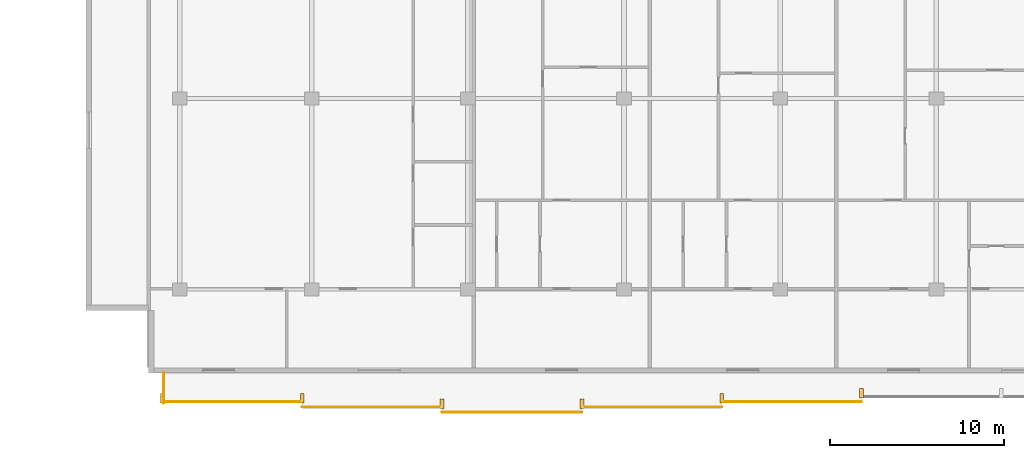
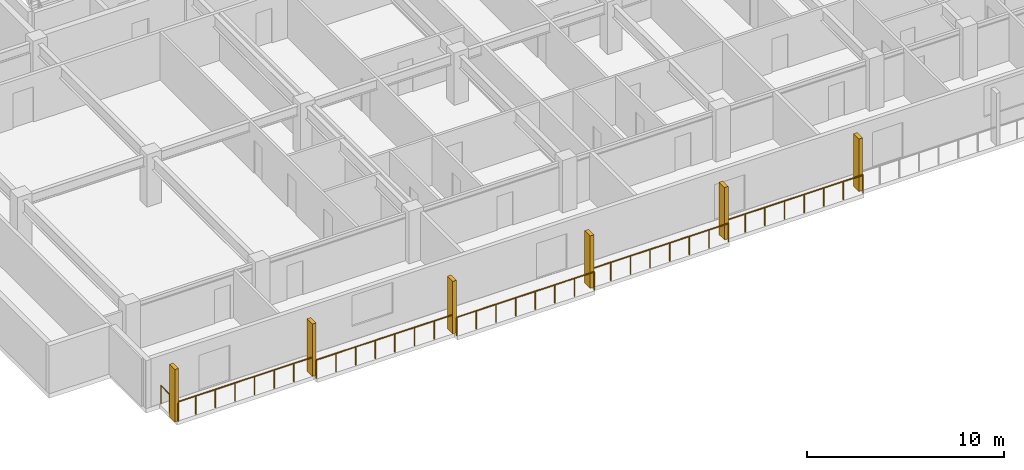
# One storey, part 17 of 21: 6 railings, 6 shading devices.
"""IFC4 building model written with IfcOpenShell, lengths in metres."""

from ifc_helpers import new_model, si_unit, direction, frame, origin, origin_2d, place, context, subcontext, project, spatial, rectangle, circle, extrude, material, type_object, element, save


model = new_model("IFC4")

# Units and contexts
model_context = context("Model", 3, precision=1e-05, world=origin(), true_north=direction((0.0, 1.0)))
body_context = subcontext(model_context, "Body", "Model", "MODEL_VIEW")
ifc_project = project(units=[si_unit("LENGTHUNIT", "METRE"), si_unit("AREAUNIT", "SQUARE_METRE"), si_unit("VOLUMEUNIT", "CUBIC_METRE"), si_unit("PLANEANGLEUNIT", "RADIAN"), si_unit("MASSUNIT", "GRAM", prefix="KILO")], contexts=[model_context])

# Site, building, storey
site_placement = place(None, origin())
site = spatial("IfcSite", under=ifc_project, at=site_placement, CompositionType="ELEMENT")
building_placement = place(site_placement, origin())
building = spatial("IfcBuilding", under=site, at=building_placement, Name="Korimba Cascade Residences", CompositionType="ELEMENT")
storey_placement = place(building_placement, frame((0.0, 0.0, 97.050048828125)))
storey = spatial("IfcBuildingStorey", under=building, at=storey_placement, Name="L27", CompositionType="ELEMENT", Elevation=97.050048828125)

# Railings
ifc_material_1 = material(Name="Laminated Glass and Bronze Balustrade", Category="glass")
railing_type = type_object("IfcRailingType", Name="RLG-LOG-1150", PredefinedType="BALUSTRADE", material=ifc_material_1)
for number, where, name in (
    (1, (73.5, -10.669921875, 0.0), "L27 Perimeter Guardrail RLG-L27-T2-LOG-01"),
    (2, (81.55712890625, -10.969970703125, 0.0), "L27 Perimeter Guardrail RLG-L27-T2-LOG-02"),
    (3, (89.6142578125, -11.27001953125, 0.0), "L27 Perimeter Guardrail RLG-L27-T2-LOG-03"),
    (4, (97.67138671875, -10.969970703125, 0.0), "L27 Perimeter Guardrail RLG-L27-T2-LOG-04"),
    (5, (105.728515625, -10.669921875, 0.0), "L27 Perimeter Guardrail RLG-L27-T2-LOG-05"),
):
    element("IfcRailing", number, at=place(storey_placement, frame(where)), inside=storey, type_object=railing_type, Name=name, PredefinedType="BALUSTRADE", context=body_context, shape_type="SweptSolid", body=[
        extrude(circle(Radius=0.02392578125, at=origin_2d()), frame((0.0, 0.0, 1.1259765625), z_axis=(1.0, 0.0, 0.0), x_axis=(0.0, 1.0, 0.0)), (0.0, 0.0, 1.0), 8.05712890625),
        extrude(circle(Radius=0.02099609375, at=origin_2d()), origin(), (0.0, 0.0, 1.0), 1.101806640625),
        extrude(circle(Radius=0.02099609375, at=origin_2d()), frame((1.151123046875, 0.0, 0.0)), (0.0, 0.0, 1.0), 1.101806640625),
        extrude(circle(Radius=0.02099609375, at=origin_2d()), frame((2.302001953125, 0.0, 0.0)), (0.0, 0.0, 1.0), 1.101806640625),
        extrude(circle(Radius=0.02099609375, at=origin_2d()), frame((3.453125, 0.0, 0.0)), (0.0, 0.0, 1.0), 1.101806640625),
        extrude(circle(Radius=0.02099609375, at=origin_2d()), frame((4.60400390625, 0.0, 0.0)), (0.0, 0.0, 1.0), 1.101806640625),
        extrude(circle(Radius=0.02099609375, at=origin_2d()), frame((5.755126953125, 0.0, 0.0)), (0.0, 0.0, 1.0), 1.101806640625),
        extrude(circle(Radius=0.02099609375, at=origin_2d()), frame((6.906005859375, 0.0, 0.0)), (0.0, 0.0, 1.0), 1.101806640625),
        extrude(circle(Radius=0.02099609375, at=origin_2d()), frame((8.05712890625, 0.0, 0.0)), (0.0, 0.0, 1.0), 1.101806640625),
    ])
railing_placement = place(storey_placement, frame((73.580078125, -9.0, 0.0)))
element("IfcRailing", 6, at=railing_placement, inside=storey, type_object=railing_type, Name="L27 Perimeter Guardrail RLG-L27-T2-LOG-08", PredefinedType="BALUSTRADE", context=body_context, shape_type="SweptSolid", body=[
    extrude(circle(Radius=0.02392578125, at=origin_2d()), frame((0.0, 0.0, 1.1259765625), z_axis=(0.0, -1.0, 0.0), x_axis=(1.0, 0.0, 0.0)), (0.0, 0.0, 1.0), 1.75),
    extrude(circle(Radius=0.02099609375, at=origin_2d()), origin(), (0.0, 0.0, 1.0), 1.101806640625),
    extrude(circle(Radius=0.02099609375, at=origin_2d()), frame((0.0, -0.875, 0.0)), (0.0, 0.0, 1.0), 1.101806640625),
    extrude(circle(Radius=0.02099609375, at=origin_2d()), frame((0.0, -1.75, 0.0)), (0.0, 0.0, 1.0), 1.101806640625),
])

# Shading devices
ifc_material_2 = material(Name="Honed Sandstone Precast Fin", Category="masonry")
shading_device_type = type_object("IfcShadingDeviceType", Name="SHD-FIN-550", PredefinedType="USERDEFINED", material=ifc_material_2)
for number, where, z_axis, x_axis, name in (
    (7, (73.5, -10.47509765625, 0.0), (0.0, 0.0, 1.0), (1.0, 0.0, 0.0), "L27 T2 Warm-Stone Loggia Fin 1"),
    (8, (81.55712890625, -10.47509765625, 0.0), (0.0, 0.0, 1.0), (1.0, 0.0, 0.0), "L27 T2 Warm-Stone Loggia Fin 2"),
    (9, (89.6142578125, -10.77490234375, 0.0), (0.0, 0.0, 1.0), (1.0, 0.0, 0.0), "L27 T2 Warm-Stone Loggia Fin 3"),
    (10, (97.67138671875, -10.77490234375, 0.0), (0.0, 0.0, 1.0), (1.0, 0.0, 0.0), "L27 T2 Warm-Stone Loggia Fin 4"),
    (11, (105.728515625, -10.47509765625, 0.0), (0.0, 0.0, 1.0), (1.0, 0.0, 0.0), "L27 T2 Warm-Stone Loggia Fin 5"),
    (12, (113.78564453125, -10.175048828125, 0.0), (0.0, 0.0, 1.0), (1.0, 0.0, 0.0), "L27 T2 Warm-Stone Loggia Fin 6"),
):
    element("IfcShadingDevice", number, at=place(storey_placement, frame(where, z_axis=z_axis, x_axis=x_axis)), inside=storey, type_object=shading_device_type, Name=name, ObjectType="FIN", PredefinedType="USERDEFINED", context=body_context, shape_type="SweptSolid", body=[
        extrude(rectangle(XDim=0.219970703125, YDim=0.550048828125, at=origin_2d()), origin(), (0.0, 0.0, 1.0), 3.25),
    ])

save(model, "model.ifc")
